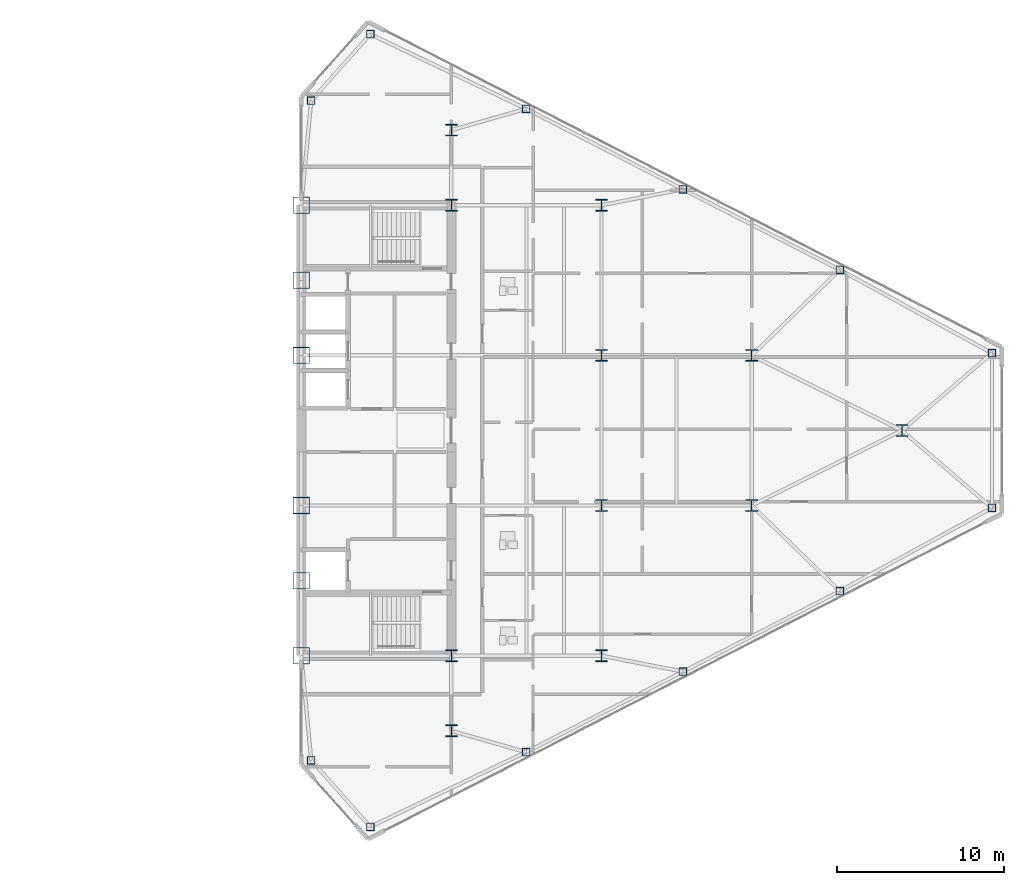
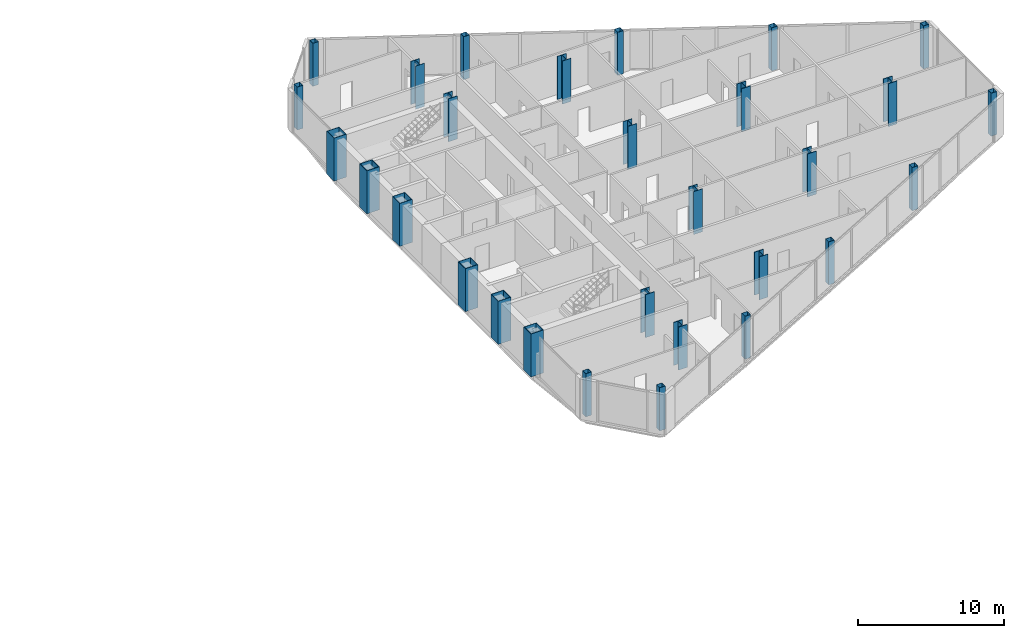
# One storey, part 2 of 23: 29 columns.
"""IFC4 building model written with IfcOpenShell, lengths in metres."""

from ifc_helpers import new_model, si_unit, direction, frame, origin, origin_2d, place, context, subcontext, project, spatial, hollow_rectangle, i_section, extrude, source, transform, mapped, material, material_profile, profile_set, type_object, type_shapes, element, save


model = new_model("IFC4")

# Units and contexts
model_context = context("Model", 3, precision=1e-05, world=origin(), true_north=direction((0.0, 1.0)))
body_context = subcontext(model_context, "Body", "Model", "MODEL_VIEW")
ifc_project = project(units=[si_unit("LENGTHUNIT", "METRE"), si_unit("AREAUNIT", "SQUARE_METRE"), si_unit("VOLUMEUNIT", "CUBIC_METRE"), si_unit("PLANEANGLEUNIT", "RADIAN"), si_unit("MASSUNIT", "GRAM", prefix="KILO")], contexts=[model_context])

# Site, building, storey
site_placement = place(None, origin())
site = spatial("IfcSite", under=ifc_project, at=site_placement, CompositionType="ELEMENT")
building_placement = place(site_placement, origin())
building = spatial("IfcBuilding", under=site, at=building_placement, Name="Seokmaru Belvedere", CompositionType="ELEMENT")
storey_placement = place(building_placement, frame((0.0, 0.0, 154.800048828125)))
storey = spatial("IfcBuildingStorey", under=building, at=storey_placement, Name="L41", CompositionType="ELEMENT", Elevation=154.800048828125)

# Columns
ifc_material_1 = material(Name="Steel HSA650 (650 MPa)", Category="steel")
ifc_material_profile_1 = material_profile(ifc_material_1, hollow_rectangle(XDim=1.0, YDim=1.0, WallThickness=0.0419921875, at=origin_2d()), Name="BOX-1000x1000x42")
ifc_profile_set_1 = profile_set([ifc_material_profile_1], Name="Steel HSA650 (650 MPa)")
column_type_1 = type_object("IfcColumnType", Name="Portal Spine Column BOX-1000", PredefinedType="COLUMN", material=ifc_profile_set_1)
shared_shape_1 = source(origin(), body_context, "Body", "SweptSolid", [
    extrude(hollow_rectangle(XDim=1.0, YDim=1.0, WallThickness=0.0419921875, at=origin_2d()), origin(), (0.0, 0.0, 1.0), 3.599853515625),
])
type_shapes(column_type_1, [shared_shape_1])
for number, where, z_axis, x_axis, name in (
    (1, (27.5, -13.5, 0.0), (0.0, 0.0, 1.0), (1.0, 0.0, 0.0), "L41 Column ES1"),
    (2, (27.5, -9.0, 0.0), (0.0, 0.0, 1.0), (1.0, 0.0, 0.0), "L41 Column ES2"),
    (3, (27.5, -4.5, 0.0), (0.0, 0.0, 1.0), (1.0, 0.0, 0.0), "L41 Column ES3"),
    (4, (27.5, 4.5, 0.0), (0.0, 0.0, 1.0), (1.0, 0.0, 0.0), "L41 Column ES4"),
    (5, (27.5, 9.0, 0.0), (0.0, 0.0, 1.0), (1.0, 0.0, 0.0), "L41 Column ES5"),
    (6, (27.5, 13.5, 0.0), (0.0, 0.0, 1.0), (1.0, 0.0, 0.0), "L41 Column ES6"),
):
    element("IfcColumn", number, at=place(storey_placement, frame(where, z_axis=z_axis, x_axis=x_axis)), inside=storey, type_object=column_type_1, Name=name, PredefinedType="COLUMN", context=body_context, shape_type="MappedRepresentation", body=[
        mapped(shared_shape_1, transform((0.0, 0.0, 0.0), scale=1.0)),
    ])
ifc_material_2 = material(Name="Steel SM355 (355 MPa)", Category="steel")
ifc_material_profile_2 = material_profile(ifc_material_2, i_section(OverallWidth=0.699951171875, OverallDepth=0.699951171875, WebThickness=0.028076171875, FlangeThickness=0.044921875, at=origin_2d()), Name="H-700x700x28x45")
ifc_profile_set_2 = profile_set([ifc_material_profile_2], Name="Steel SM355 (355 MPa)")
column_type_2 = type_object("IfcColumnType", Name="Mid Interior Column H-700", PredefinedType="COLUMN", material=ifc_profile_set_2)
shared_shape_2 = source(origin(), body_context, "Body", "SweptSolid", [
    extrude(i_section(OverallWidth=0.699951171875, OverallDepth=0.699951171875, WebThickness=0.028076171875, FlangeThickness=0.044921875, at=origin_2d()), origin(), (0.0, 0.0, 1.0), 3.599853515625),
])
type_shapes(column_type_2, [shared_shape_2])
for number, where, z_axis, x_axis, name in (
    (7, (36.5, -18.0, 0.0), (0.0, 0.0, 1.0), (1.0, 0.0, 0.0), "L41 Column EC1"),
    (8, (36.5, -13.5, 0.0), (0.0, 0.0, 1.0), (1.0, 0.0, 0.0), "L41 Column EC2"),
    (9, (36.5, 13.5, 0.0), (0.0, 0.0, 1.0), (1.0, 0.0, 0.0), "L41 Column EC3"),
    (10, (36.5, 18.0, 0.0), (0.0, 0.0, 1.0), (1.0, 0.0, 0.0), "L41 Column EC4"),
    (11, (45.5, -13.5, 0.0), (0.0, 0.0, 1.0), (1.0, 0.0, 0.0), "L41 Column EG5_1"),
    (12, (45.5, -4.5, 0.0), (0.0, 0.0, 1.0), (1.0, 0.0, 0.0), "L41 Column EG5_2"),
    (13, (45.5, 4.5, 0.0), (0.0, 0.0, 1.0), (1.0, 0.0, 0.0), "L41 Column EG5_3"),
    (14, (45.5, 13.5, 0.0), (0.0, 0.0, 1.0), (1.0, 0.0, 0.0), "L41 Column EG5_4"),
    (15, (54.5, -4.5, 0.0), (0.0, 0.0, 1.0), (1.0, 0.0, 0.0), "L41 Column EG4P_1"),
    (16, (54.5, 4.5, 0.0), (0.0, 0.0, 1.0), (1.0, 0.0, 0.0), "L41 Column EG4P_2"),
    (17, (63.5, 0.0, 0.0), (0.0, 0.0, 1.0), (1.0, 0.0, 0.0), "L41 Column EG3P_1"),
):
    element("IfcColumn", number, at=place(storey_placement, frame(where, z_axis=z_axis, x_axis=x_axis)), inside=storey, type_object=column_type_2, Name=name, PredefinedType="COLUMN", context=body_context, shape_type="MappedRepresentation", body=[
        mapped(shared_shape_2, transform((0.0, 0.0, 0.0), scale=1.0)),
    ])
ifc_material_profile_3 = material_profile(ifc_material_2, hollow_rectangle(XDim=0.449951171875, YDim=0.449951171875, WallThickness=0.01806640625, at=origin_2d()), Name="HSS-450x450x18")
ifc_profile_set_3 = profile_set([ifc_material_profile_3], Name="Steel SM355 (355 MPa)")
column_type_3 = type_object("IfcColumnType", Name="Perimeter Facet Column HSS-450", PredefinedType="COLUMN", material=ifc_profile_set_3)
shared_shape_3 = source(origin(), body_context, "Body", "SweptSolid", [
    extrude(hollow_rectangle(XDim=0.449951171875, YDim=0.449951171875, WallThickness=0.01806640625, at=origin_2d()), origin(), (0.0, 0.0, 1.0), 3.599853515625),
])
type_shapes(column_type_3, [shared_shape_3])
for number, where, z_axis, x_axis, name in (
    (18, (31.6396484375, -23.75390625, 0.0), (0.0, 0.0, 1.0), (1.0, 0.0, 0.0), "L41 Column EF1"),
    (19, (68.89990234375, -4.633544921875, 0.0), (0.0, 0.0, 1.0), (1.0, 0.0, 0.0), "L41 Column EF2"),
    (20, (68.89990234375, 4.633544921875, 0.0), (0.0, 0.0, 1.0), (1.0, 0.0, 0.0), "L41 Column EF3"),
    (21, (31.6396484375, 23.75390625, 0.0), (0.0, 0.0, 1.0), (1.0, 0.0, 0.0), "L41 Column EF4"),
    (22, (28.10009765625, 19.77197265625, 0.0), (0.0, 0.0, 1.0), (1.0, 0.0, 0.0), "L41 Column EF5"),
    (23, (28.10009765625, -19.77197265625, 0.0), (0.0, 0.0, 1.0), (1.0, 0.0, 0.0), "L41 Column EF6"),
    (24, (40.975830078125, -19.277587890625, 0.0), (0.0, 0.0, 1.0), (1.0, 0.0, 0.0), "L41 Column EFLK_S1"),
    (25, (50.377197265625, -14.453369140625, 0.0), (0.0, 0.0, 1.0), (1.0, 0.0, 0.0), "L41 Column EFLK_S2"),
    (26, (59.778564453125, -9.62890625, 0.0), (0.0, 0.0, 1.0), (1.0, 0.0, 0.0), "L41 Column EFLK_S3"),
    (27, (40.975830078125, 19.277587890625, 0.0), (0.0, 0.0, 1.0), (1.0, 0.0, 0.0), "L41 Column EFLK_N1"),
    (28, (50.377197265625, 14.453369140625, 0.0), (0.0, 0.0, 1.0), (1.0, 0.0, 0.0), "L41 Column EFLK_N2"),
    (29, (59.778564453125, 9.62890625, 0.0), (0.0, 0.0, 1.0), (1.0, 0.0, 0.0), "L41 Column EFLK_N3"),
):
    element("IfcColumn", number, at=place(storey_placement, frame(where, z_axis=z_axis, x_axis=x_axis)), inside=storey, type_object=column_type_3, Name=name, PredefinedType="COLUMN", context=body_context, shape_type="MappedRepresentation", body=[
        mapped(shared_shape_3, transform((0.0, 0.0, 0.0), scale=1.0)),
    ])

save(model, "model.ifc")
